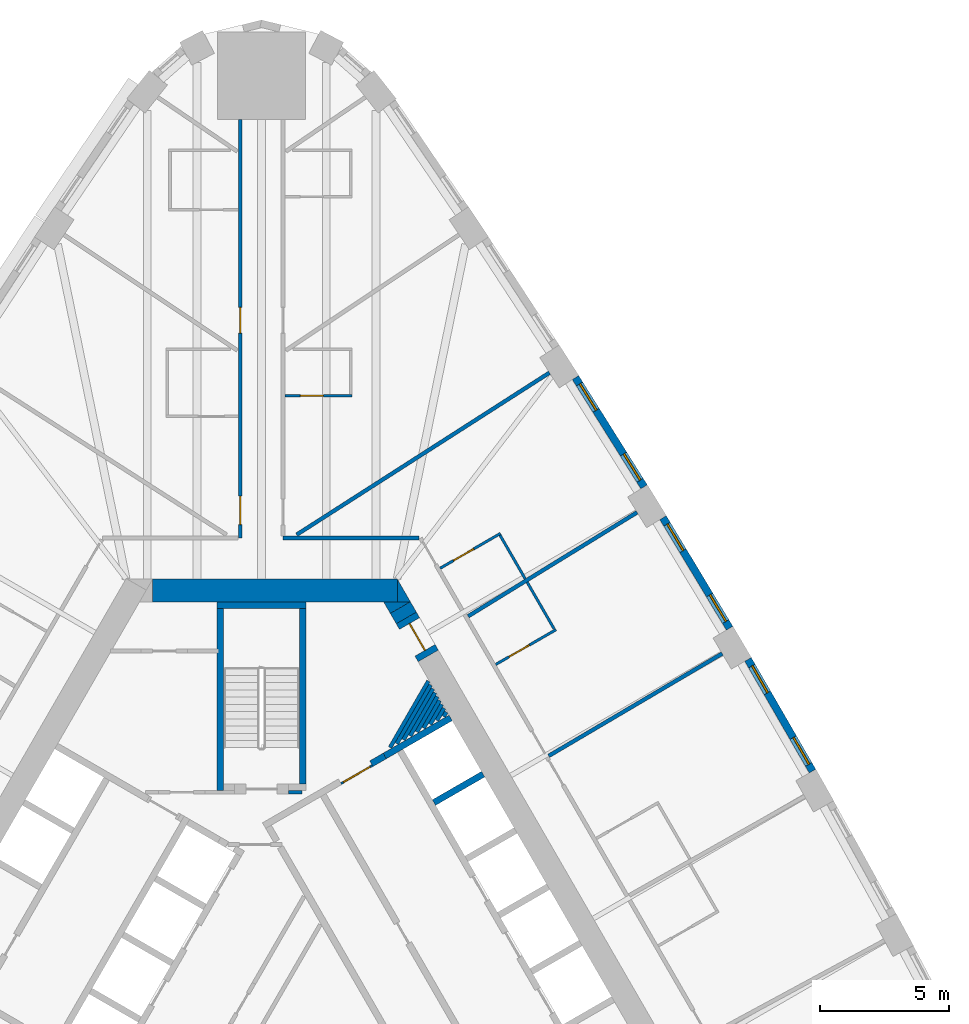
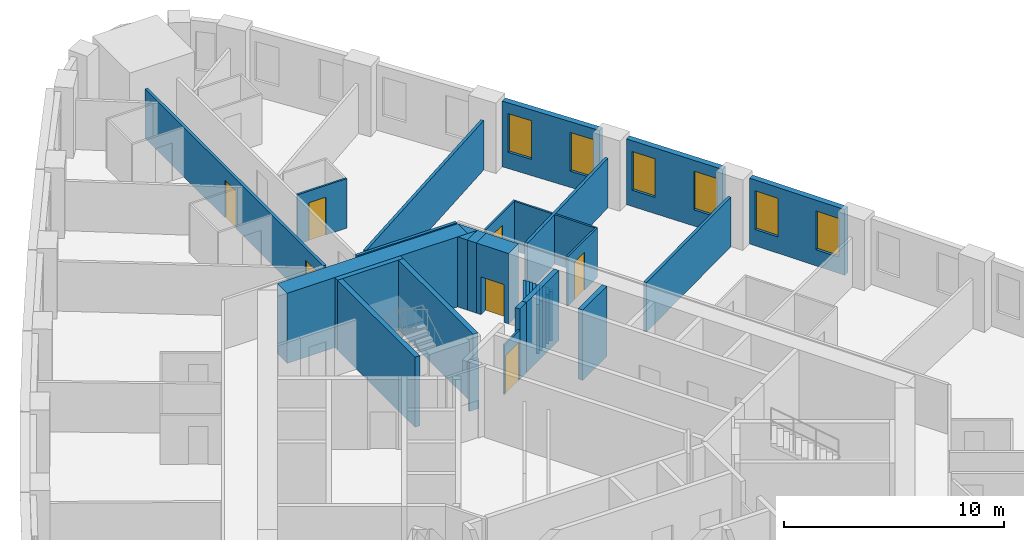
# One storey, part 10 of 12: 35 walls, 7 doors, 6 windows, 13 openings.
"""IFC4 building model written with IfcOpenShell, lengths in metres."""

from ifc_helpers import new_model, si_unit, direction, frame, frame_2d, origin, place, context, subcontext, project, spatial, polyline, rectangle, outline, extrude, material, layer, layer_set, type_object, element, fill, save


model = new_model("IFC4")

# Units and contexts
model_context = context("Model", 3, precision=1e-05, world=origin(), true_north=direction((0.0, 1.0)))
body_context = subcontext(model_context, "Body", "Model", "MODEL_VIEW")
ifc_project = project(units=[si_unit("LENGTHUNIT", "METRE"), si_unit("AREAUNIT", "SQUARE_METRE"), si_unit("VOLUMEUNIT", "CUBIC_METRE"), si_unit("PLANEANGLEUNIT", "RADIAN"), si_unit("MASSUNIT", "GRAM", prefix="KILO")], contexts=[model_context])

# Site, building, storey
site_placement = place(None, origin())
site = spatial("IfcSite", under=ifc_project, at=site_placement, CompositionType="ELEMENT")
building_placement = place(site_placement, origin())
building = spatial("IfcBuilding", under=site, at=building_placement, Name="Mestral Congress Tower", CompositionType="ELEMENT")
storey_placement = place(building_placement, frame((0.0, 0.0, 70.5)))
storey = spatial("IfcBuildingStorey", under=building, at=storey_placement, Name="L16", CompositionType="ELEMENT", Elevation=70.5)

# Walls
ifc_material_1 = material(Name="Fire-rated board partition")
ifc_layer_1 = layer(ifc_material_1, 0.14990234375)
ifc_layer_set_1 = layer_set([ifc_layer_1], Name="Fire-rated board partition")
wall_type_1 = type_object("IfcWallType", Name="Core partition 150", PredefinedType="PARTITIONING", material=ifc_layer_set_1)
wall_1_placement = place(storey_placement, frame((1.050048828125, 8.62548828125, 0.0), z_axis=(0.0, 0.0, 1.0), x_axis=(1.0, 0.0, 0.0)))
element("IfcWall", 1, at=wall_1_placement, inside=storey, type_object=wall_type_1, Name="L16 core wall", PredefinedType="PARTITIONING", context=body_context, shape_type="SweptSolid", body=[
    extrude(rectangle(XDim=0.513916015625, YDim=0.14990234375, at=frame_2d((0.2568359375, 0.0))), origin(), (0.0, 0.0, 1.0), 2.75),
])
wall_2_placement = place(storey_placement, frame((4.981689453125, 10.358642578125, 0.0), z_axis=(0.0, 0.0, 1.0), x_axis=(0.500051824031, 0.865995481099, 0.0)))
element("IfcWall", 2, at=wall_2_placement, inside=storey, type_object=wall_type_1, Name="L16 core wall", PredefinedType="PARTITIONING", context=body_context, shape_type="SweptSolid", body=[
    extrude(rectangle(XDim=2.972900390625, YDim=0.14990234375, at=frame_2d((1.486328125, 0.0))), origin(), (0.0, 0.0, 1.0), 2.75),
])
wall_3_placement = place(storey_placement, frame((5.24169921875, 10.5087890625, 0.0), z_axis=(0.0, 0.0, 1.0), x_axis=(0.499958506883, 0.866049358521, 0.0)))
element("IfcWall", 3, at=wall_3_placement, inside=storey, type_object=wall_type_1, Name="L16 core wall", PredefinedType="PARTITIONING", context=body_context, shape_type="SweptSolid", body=[
    extrude(rectangle(XDim=2.626220703125, YDim=0.14990234375, at=frame_2d((1.31298828125, 0.0))), origin(), (0.0, 0.0, 1.0), 2.75),
])
wall_4_placement = place(storey_placement, frame((5.50146484375, 10.65869140625, 0.0), z_axis=(0.0, 0.0, 1.0), x_axis=(0.499951092774, 0.866053638543, 0.0)))
element("IfcWall", 4, at=wall_4_placement, inside=storey, type_object=wall_type_1, Name="L16 core wall", PredefinedType="PARTITIONING", context=body_context, shape_type="SweptSolid", body=[
    extrude(rectangle(XDim=2.280029296875, YDim=0.14990234375, at=frame_2d((1.14013671875, 0.0))), origin(), (0.0, 0.0, 1.0), 2.75),
])
wall_5_placement = place(storey_placement, frame((5.76123046875, 10.80859375, 0.0), z_axis=(0.0, 0.0, 1.0), x_axis=(0.499900985997, 0.866082561999, 0.0)))
element("IfcWall", 5, at=wall_5_placement, inside=storey, type_object=wall_type_1, Name="L16 core wall", PredefinedType="PARTITIONING", context=body_context, shape_type="SweptSolid", body=[
    extrude(rectangle(XDim=1.93359375, YDim=0.14990234375, at=frame_2d((0.966796875, 0.0))), origin(), (0.0, 0.0, 1.0), 2.75),
])
wall_6_placement = place(storey_placement, frame((6.02099609375, 10.958740234375, 0.0), z_axis=(0.0, 0.0, 1.0), x_axis=(0.499944387978, 0.86605750902, 0.0)))
element("IfcWall", 6, at=wall_6_placement, inside=storey, type_object=wall_type_1, Name="L16 core wall", PredefinedType="PARTITIONING", context=body_context, shape_type="SweptSolid", body=[
    extrude(rectangle(XDim=1.587158203125, YDim=0.14990234375, at=frame_2d((0.79345703125, 0.0))), origin(), (0.0, 0.0, 1.0), 2.75),
])
wall_7_placement = place(storey_placement, frame((6.28076171875, 11.108642578125, 0.0), z_axis=(0.0, 0.0, 1.0), x_axis=(0.500012022864, 0.866018462269, 0.0)))
element("IfcWall", 7, at=wall_7_placement, inside=storey, type_object=wall_type_1, Name="L16 core wall", PredefinedType="PARTITIONING", context=body_context, shape_type="SweptSolid", body=[
    extrude(rectangle(XDim=1.24072265625, YDim=0.14990234375, at=frame_2d((0.620361328125, 0.0))), origin(), (0.0, 0.0, 1.0), 2.75),
])
wall_8_placement = place(storey_placement, frame((6.54052734375, 11.2587890625, 0.0), z_axis=(0.0, 0.0, 1.0), x_axis=(0.500132045864, 0.865949153646, 0.0)))
element("IfcWall", 8, at=wall_8_placement, inside=storey, type_object=wall_type_1, Name="L16 core wall", PredefinedType="PARTITIONING", context=body_context, shape_type="SweptSolid", body=[
    extrude(rectangle(XDim=0.894287109375, YDim=0.14990234375, at=frame_2d((0.447265625, 0.0))), origin(), (0.0, 0.0, 1.0), 2.75),
])
wall_9_placement = place(storey_placement, frame((6.80029296875, 11.40869140625, 0.0), z_axis=(0.0, 0.0, 1.0), x_axis=(0.500210807569, 0.865903659763, 0.0)))
element("IfcWall", 9, at=wall_9_placement, inside=storey, type_object=wall_type_1, Name="L16 core wall", PredefinedType="PARTITIONING", context=body_context, shape_type="SweptSolid", body=[
    extrude(rectangle(XDim=0.548095703125, YDim=0.14990234375, at=frame_2d((0.27392578125, 0.0))), origin(), (0.0, 0.0, 1.0), 2.75),
])
wall_10_placement = place(storey_placement, frame((7.060302734375, 11.55859375, 0.0), z_axis=(0.0, 0.0, 1.0), x_axis=(0.499267785915, 0.866447735266, 0.0)))
element("IfcWall", 10, at=wall_10_placement, inside=storey, type_object=wall_type_1, Name="L16 core wall", PredefinedType="PARTITIONING", context=body_context, shape_type="SweptSolid", body=[
    extrude(rectangle(XDim=0.201416015625, YDim=0.14990234375, at=frame_2d((0.1005859375, 0.0))), origin(), (0.0, 0.0, 1.0), 2.75),
])

# Wall, opening, door
ifc_layer_2 = layer(ifc_material_1, 0.090087890625)
ifc_layer_set_2 = layer_set([ifc_layer_2], Name="Fire-rated board partition")
wall_type_2 = type_object("IfcWallType", Name="Core partition 150 door-wall 90", PredefinedType="PARTITIONING", material=ifc_layer_set_2)
wall_11_placement = place(storey_placement, frame((3.080810546875, 8.9609375, 0.0), z_axis=(0.0, 0.0, 1.0), x_axis=(0.866034573852, 0.49998411664, 0.0)))
wall_11 = element("IfcWall", 11, at=wall_11_placement, inside=storey, type_object=wall_type_2, Name="L16 door wall", PredefinedType="PARTITIONING", context=body_context, shape_type="SweptSolid", body=[
    extrude(rectangle(XDim=1.39990234375, YDim=0.090087890625, at=frame_2d((0.699951171875, 0.0))), origin(), (0.0, 0.0, 1.0), 2.75),
])
opening_1_placement = place(wall_11_placement, frame((0.10009765625, 0.0, 0.0)))
opening_1 = element("IfcOpeningElement", 12, at=opening_1_placement, cuts=wall_11, Name="Opening LB1-WL2", PredefinedType="OPENING", context=body_context, shape_type="SweptSolid", body=[
    extrude(rectangle(XDim=1.199951171875, YDim=2.10009765625, at=frame_2d((0.60009765625, 1.050048828125))), frame((0.0, 0.054931640625, 0.0), z_axis=(0.0, -1.0, 0.0), x_axis=(1.0, 0.0, 0.0)), (0.0, 0.0, 1.0), 0.110107421875),
])
ifc_material_2 = material(Name="Fire-rated steel door set", Category="steel")
door_type_1 = type_object("IfcDoorType", Name="Core door LB 1200x2100", OperationType="SINGLE_SWING_LEFT", PredefinedType="DOOR", material=ifc_material_2)
door_1_placement = place(opening_1_placement, origin())
door_1 = element("IfcDoor", 13, at=door_1_placement, inside=storey, type_object=door_type_1, Name="Door LB1-WL2", OperationType="SINGLE_SWING_LEFT", OverallHeight=2.10009765625, OverallWidth=1.199951171875, PredefinedType="DOOR", context=body_context, shape_type="SweptSolid", body=[
    extrude(rectangle(XDim=1.199951171875, YDim=2.10009765625, at=frame_2d((0.60009765625, 1.050048828125))), frame((0.0, 0.02490234375, 0.0), z_axis=(0.0, -1.0, 0.0), x_axis=(1.0, 0.0, 0.0)), (0.0, 0.0, 1.0), 0.050048828125),
])
fill(opening_1, door_1)

# Walls
ifc_material_3 = material(Name="Concrete C60/75", Category="concrete")
ifc_layer_3 = layer(ifc_material_3, 0.89990234375)
ifc_layer_set_3 = layer_set([ifc_layer_3], Name="Concrete C60/75")
wall_type_3 = type_object("IfcWallType", Name="Core wall RC 900", PredefinedType="SOLIDWALL", material=ifc_layer_set_3)
wall_12_placement = place(storey_placement, frame((-4.224365234375, 16.449951171875, 0.0), z_axis=(0.0, 0.0, 1.0), x_axis=(1.0, 0.0, 0.0)))
element("IfcWall", 14, at=wall_12_placement, inside=storey, type_object=wall_type_3, Name="L16 core wall", PredefinedType="SOLIDWALL", context=body_context, shape_type="SweptSolid", body=[
    extrude(rectangle(XDim=9.48779296875, YDim=0.89990234375, at=frame_2d((4.743896484375, 0.0))), origin(), (0.0, 0.0, 1.0), 3.89990234375),
])
placement = place(storey_placement, origin())
element("IfcWall", 15, at=placement, inside=storey, type_object=wall_type_3, Name="L16 core wall", PredefinedType="SOLIDWALL", context=body_context, shape_type="SweptSolid", body=[
    extrude(outline(polyline([(5.265380859375, 16.0), (5.265380859375, 16.8798828125), (5.7734375, 16.0), (5.265380859375, 16.0)])), origin(), (0.0, 0.0, 1.0), 3.89990234375),
])
wall_14_placement = place(storey_placement, frame((5.61083984375, 15.381591796875, 0.0), z_axis=(0.0, 0.0, 1.0), x_axis=(-0.500102178127, 0.865966403178, 0.0)))
element("IfcWall", 16, at=wall_14_placement, inside=storey, type_object=wall_type_3, Name="L16 core wall", PredefinedType="SOLIDWALL", context=body_context, shape_type="SweptSolid", body=[
    extrude(rectangle(XDim=0.4638671875, YDim=0.89990234375, at=frame_2d((0.23193359375, 0.0))), origin(), (0.0, 0.0, 1.0), 3.89990234375),
])
element("IfcWall", 17, at=placement, inside=storey, type_object=wall_type_3, Name="L16 core wall", PredefinedType="SOLIDWALL", context=body_context, shape_type="SweptSolid", body=[
    extrude(outline(polyline([(4.734375, 16.0), (5.75048828125, 16.0), (4.98828125, 15.56005859375), (4.734375, 16.0)])), origin(), (0.0, 0.0, 1.0), 3.89990234375),
])

# Wall, opening, door
wall_16_placement = place(storey_placement, frame((5.61083984375, 15.381591796875, 0.0), z_axis=(0.0, 0.0, 1.0), x_axis=(0.500062241894, -0.865989465428, 0.0)))
wall_16 = element("IfcWall", 18, at=wall_16_placement, inside=storey, type_object=wall_type_3, Name="L16 door wall", PredefinedType="SOLIDWALL", context=body_context, shape_type="SweptSolid", body=[
    extrude(rectangle(XDim=1.699951171875, YDim=0.89990234375, at=frame_2d((0.85009765625, 0.0))), origin(), (0.0, 0.0, 1.0), 3.89990234375),
])
opening_2_placement = place(wall_16_placement, frame((0.25, 0.0, 0.0)))
opening_2 = element("IfcOpeningElement", 19, at=opening_2_placement, cuts=wall_16, Name="Opening XD2", PredefinedType="OPENING", context=body_context, shape_type="SweptSolid", body=[
    extrude(rectangle(XDim=1.199951171875, YDim=2.10009765625, at=frame_2d((0.60009765625, 1.050048828125))), frame((0.0, 0.4599609375, 0.0), z_axis=(0.0, -1.0, 0.0), x_axis=(1.0, 0.0, 0.0)), (0.0, 0.0, 1.0), 0.919921875),
])
door_type_2 = type_object("IfcDoorType", Name="Core door XD 1200x2100", OperationType="SINGLE_SWING_LEFT", PredefinedType="DOOR", material=ifc_material_2)
door_2_placement = place(opening_2_placement, origin())
door_2 = element("IfcDoor", 20, at=door_2_placement, inside=storey, type_object=door_type_2, Name="Door XD2", OperationType="SINGLE_SWING_LEFT", OverallHeight=2.10009765625, OverallWidth=1.199951171875, PredefinedType="DOOR", context=body_context, shape_type="SweptSolid", body=[
    extrude(rectangle(XDim=1.199951171875, YDim=2.10009765625, at=frame_2d((0.60009765625, 1.050048828125))), frame((0.0, 0.02490234375, 0.0), z_axis=(0.0, -1.0, 0.0), x_axis=(1.0, 0.0, 0.0)), (0.0, 0.0, 1.0), 0.050048828125),
])
fill(opening_2, door_2)

# Wall, openings, windows
ifc_material_4 = material(Name="Precast concrete C40/50 with limestone facing", Category="masonry")
ifc_layer_4 = layer(ifc_material_4, 0.2900390625)
ifc_layer_set_4 = layer_set([ifc_layer_4], Name="Precast concrete C40/50 with limestone facing")
wall_type_4 = type_object("IfcWallType", Name="Facade stone wall 290", PredefinedType="SOLIDWALL", material=ifc_layer_set_4)
wall_17_placement = place(storey_placement, frame((21.357177734375, 9.44482421875, 0.0), z_axis=(0.0, 0.0, 1.0), x_axis=(-0.50002123722, 0.866013142123, 0.0)))
wall_17 = element("IfcWall", 21, at=wall_17_placement, inside=storey, type_object=wall_type_4, Name="Facade wall F1-04", PredefinedType="SOLIDWALL", context=body_context, shape_type="SweptSolid", body=[
    extrude(rectangle(XDim=4.998291015625, YDim=0.2900390625, at=frame_2d((2.4990234375, 0.0))), origin(), (0.0, 0.0, 1.0), 3.64990234375),
])
opening_3_placement = place(wall_17_placement, frame((0.297119140625, 0.0, 0.89990234375)))
opening_3 = element("IfcOpeningElement", 22, at=opening_3_placement, cuts=wall_17, Name="Opening W1", PredefinedType="OPENING", context=body_context, shape_type="SweptSolid", body=[
    extrude(rectangle(XDim=1.199951171875, YDim=2.14990234375, at=frame_2d((0.60009765625, 1.074951171875))), frame((0.0, 0.155029296875, 0.0), z_axis=(0.0, -1.0, 0.0), x_axis=(1.0, 0.0, 0.0)), (0.0, 0.0, 1.0), 0.31005859375),
])
opening_4_placement = place(wall_17_placement, frame((3.501220703125, 0.0, 0.89990234375)))
opening_4 = element("IfcOpeningElement", 23, at=opening_4_placement, cuts=wall_17, Name="Opening W1", PredefinedType="OPENING", context=body_context, shape_type="SweptSolid", body=[
    extrude(rectangle(XDim=1.199951171875, YDim=2.14990234375, at=frame_2d((0.60009765625, 1.074951171875))), frame((0.0, 0.155029296875, 0.0), z_axis=(0.0, -1.0, 0.0), x_axis=(1.0, 0.0, 0.0)), (0.0, 0.0, 1.0), 0.31005859375),
])
ifc_material_5 = material(Name="Clear low-emissivity double glazing", Category="glass")
window_type = type_object("IfcWindowType", Name="Facade punched window 1200 x 2150 sill 900", PartitioningType="DOUBLE_PANEL_VERTICAL", PredefinedType="WINDOW", material=ifc_material_5)
window_1_placement = place(opening_3_placement, origin())
window_1 = element("IfcWindow", 24, at=window_1_placement, inside=storey, type_object=window_type, Name="Window F1-04a", OverallHeight=2.14990234375, OverallWidth=1.199951171875, PartitioningType="DOUBLE_PANEL_VERTICAL", PredefinedType="WINDOW", context=body_context, shape_type="SweptSolid", body=[
    extrude(rectangle(XDim=1.199951171875, YDim=2.14990234375, at=frame_2d((0.60009765625, 1.074951171875))), frame((0.0, 0.01513671875, 0.0), z_axis=(0.0, -1.0, 0.0), x_axis=(1.0, 0.0, 0.0)), (0.0, 0.0, 1.0), 0.06005859375),
])
fill(opening_3, window_1)
window_2_placement = place(opening_4_placement, origin())
window_2 = element("IfcWindow", 25, at=window_2_placement, inside=storey, type_object=window_type, Name="Window F1-04b", OverallHeight=2.14990234375, OverallWidth=1.199951171875, PartitioningType="DOUBLE_PANEL_VERTICAL", PredefinedType="WINDOW", context=body_context, shape_type="SweptSolid", body=[
    extrude(rectangle(XDim=1.199951171875, YDim=2.14990234375, at=frame_2d((0.60009765625, 1.074951171875))), frame((0.0, 0.01513671875, 0.0), z_axis=(0.0, -1.0, 0.0), x_axis=(1.0, 0.0, 0.0)), (0.0, 0.0, 1.0), 0.06005859375),
])
fill(opening_4, window_2)

wall_18_placement = place(storey_placement, frame((18.143310546875, 14.985595703125, 0.0), z_axis=(0.0, 0.0, 1.0), x_axis=(-0.515938796285, 0.856625448191, 0.0)))
wall_18 = element("IfcWall", 26, at=wall_18_placement, inside=storey, type_object=wall_type_4, Name="Facade wall F1-05", PredefinedType="SOLIDWALL", context=body_context, shape_type="SweptSolid", body=[
    extrude(rectangle(XDim=4.998291015625, YDim=0.2900390625, at=frame_2d((2.4990234375, 0.0))), origin(), (0.0, 0.0, 1.0), 3.64990234375),
])
opening_5_placement = place(wall_18_placement, frame((0.297119140625, 0.0, 0.89990234375)))
opening_5 = element("IfcOpeningElement", 27, at=opening_5_placement, cuts=wall_18, Name="Opening W1", PredefinedType="OPENING", context=body_context, shape_type="SweptSolid", body=[
    extrude(rectangle(XDim=1.199951171875, YDim=2.14990234375, at=frame_2d((0.60009765625, 1.074951171875))), frame((0.0, 0.155029296875, 0.0), z_axis=(0.0, -1.0, 0.0), x_axis=(1.0, 0.0, 0.0)), (0.0, 0.0, 1.0), 0.31005859375),
])
opening_6_placement = place(wall_18_placement, frame((3.501220703125, 0.0, 0.89990234375)))
opening_6 = element("IfcOpeningElement", 28, at=opening_6_placement, cuts=wall_18, Name="Opening W1", PredefinedType="OPENING", context=body_context, shape_type="SweptSolid", body=[
    extrude(rectangle(XDim=1.199951171875, YDim=2.14990234375, at=frame_2d((0.60009765625, 1.074951171875))), frame((0.0, 0.155029296875, 0.0), z_axis=(0.0, -1.0, 0.0), x_axis=(1.0, 0.0, 0.0)), (0.0, 0.0, 1.0), 0.31005859375),
])
window_3_placement = place(opening_5_placement, origin())
window_3 = element("IfcWindow", 29, at=window_3_placement, inside=storey, type_object=window_type, Name="Window F1-05a", OverallHeight=2.14990234375, OverallWidth=1.199951171875, PartitioningType="DOUBLE_PANEL_VERTICAL", PredefinedType="WINDOW", context=body_context, shape_type="SweptSolid", body=[
    extrude(rectangle(XDim=1.199951171875, YDim=2.14990234375, at=frame_2d((0.60009765625, 1.074951171875))), frame((0.0, 0.01513671875, 0.0), z_axis=(0.0, -1.0, 0.0), x_axis=(1.0, 0.0, 0.0)), (0.0, 0.0, 1.0), 0.06005859375),
])
fill(opening_5, window_3)
window_4_placement = place(opening_6_placement, origin())
window_4 = element("IfcWindow", 30, at=window_4_placement, inside=storey, type_object=window_type, Name="Window F1-05b", OverallHeight=2.14990234375, OverallWidth=1.199951171875, PartitioningType="DOUBLE_PANEL_VERTICAL", PredefinedType="WINDOW", context=body_context, shape_type="SweptSolid", body=[
    extrude(rectangle(XDim=1.199951171875, YDim=2.14990234375, at=frame_2d((0.60009765625, 1.074951171875))), frame((0.0, 0.01513671875, 0.0), z_axis=(0.0, -1.0, 0.0), x_axis=(1.0, 0.0, 0.0)), (0.0, 0.0, 1.0), 0.06005859375),
])
fill(opening_6, window_4)

wall_19_placement = place(storey_placement, frame((14.827392578125, 20.466064453125, 0.0), z_axis=(0.0, 0.0, 1.0), x_axis=(-0.531688286542, 0.846940119462, 0.0)))
wall_19 = element("IfcWall", 31, at=wall_19_placement, inside=storey, type_object=wall_type_4, Name="Facade wall F1-06", PredefinedType="SOLIDWALL", context=body_context, shape_type="SweptSolid", body=[
    extrude(rectangle(XDim=4.998291015625, YDim=0.2900390625, at=frame_2d((2.4990234375, 0.0))), origin(), (0.0, 0.0, 1.0), 3.64990234375),
])
opening_7_placement = place(wall_19_placement, frame((0.297119140625, 0.0, 0.89990234375)))
opening_7 = element("IfcOpeningElement", 32, at=opening_7_placement, cuts=wall_19, Name="Opening W1", PredefinedType="OPENING", context=body_context, shape_type="SweptSolid", body=[
    extrude(rectangle(XDim=1.199951171875, YDim=2.14990234375, at=frame_2d((0.60009765625, 1.074951171875))), frame((0.0, 0.155029296875, 0.0), z_axis=(0.0, -1.0, 0.0), x_axis=(1.0, 0.0, 0.0)), (0.0, 0.0, 1.0), 0.31005859375),
])
opening_8_placement = place(wall_19_placement, frame((3.501220703125, 0.0, 0.89990234375)))
opening_8 = element("IfcOpeningElement", 33, at=opening_8_placement, cuts=wall_19, Name="Opening W1", PredefinedType="OPENING", context=body_context, shape_type="SweptSolid", body=[
    extrude(rectangle(XDim=1.199951171875, YDim=2.14990234375, at=frame_2d((0.60009765625, 1.074951171875))), frame((0.0, 0.155029296875, 0.0), z_axis=(0.0, -1.0, 0.0), x_axis=(1.0, 0.0, 0.0)), (0.0, 0.0, 1.0), 0.31005859375),
])
window_5_placement = place(opening_7_placement, origin())
window_5 = element("IfcWindow", 34, at=window_5_placement, inside=storey, type_object=window_type, Name="Window F1-06a", OverallHeight=2.14990234375, OverallWidth=1.199951171875, PartitioningType="DOUBLE_PANEL_VERTICAL", PredefinedType="WINDOW", context=body_context, shape_type="SweptSolid", body=[
    extrude(rectangle(XDim=1.199951171875, YDim=2.14990234375, at=frame_2d((0.60009765625, 1.074951171875))), frame((0.0, 0.01513671875, 0.0), z_axis=(0.0, -1.0, 0.0), x_axis=(1.0, 0.0, 0.0)), (0.0, 0.0, 1.0), 0.06005859375),
])
fill(opening_7, window_5)
window_6_placement = place(opening_8_placement, origin())
window_6 = element("IfcWindow", 35, at=window_6_placement, inside=storey, type_object=window_type, Name="Window F1-06b", OverallHeight=2.14990234375, OverallWidth=1.199951171875, PartitioningType="DOUBLE_PANEL_VERTICAL", PredefinedType="WINDOW", context=body_context, shape_type="SweptSolid", body=[
    extrude(rectangle(XDim=1.199951171875, YDim=2.14990234375, at=frame_2d((0.60009765625, 1.074951171875))), frame((0.0, 0.01513671875, 0.0), z_axis=(0.0, -1.0, 0.0), x_axis=(1.0, 0.0, 0.0)), (0.0, 0.0, 1.0), 0.06005859375),
])
fill(opening_8, window_6)

# Wall, opening, door
ifc_material_6 = material(Name="Gypsum board partition on metal studs with mineral wool", Category="composite")
ifc_layer_5 = layer(ifc_material_6, 0.10009765625)
ifc_layer_set_5 = layer_set([ifc_layer_5], Name="Gypsum board partition on metal studs with mineral wool")
wall_type_5 = type_object("IfcWallType", Name="Hotel partition wall 100", PredefinedType="PARTITIONING", material=ifc_layer_set_5)
wall_20_placement = place(storey_placement, frame((9.077392578125, 13.57763671875, 0.0), z_axis=(0.0, 0.0, 1.0), x_axis=(0.866036505625, 0.499980770555, 0.0)))
wall_20 = element("IfcWall", 36, at=wall_20_placement, inside=storey, type_object=wall_type_5, Name="L16-h-pod12a", PredefinedType="PARTITIONING", context=body_context, shape_type="SweptSolid", body=[
    extrude(rectangle(XDim=2.69970703125, YDim=0.10009765625, at=frame_2d((1.349853515625, 0.0))), origin(), (0.0, 0.0, 1.0), 2.75),
])
opening_9_placement = place(wall_20_placement, frame((0.60009765625, 0.0, 0.0)))
opening_9 = element("IfcOpeningElement", 37, at=opening_9_placement, cuts=wall_20, Name="Opening H04-024", PredefinedType="OPENING", context=body_context, shape_type="SweptSolid", body=[
    extrude(rectangle(XDim=0.89990234375, YDim=2.10009765625, at=frame_2d((0.449951171875, 1.050048828125))), frame((0.0, 0.06005859375, 0.0), z_axis=(0.0, -1.0, 0.0), x_axis=(1.0, 0.0, 0.0)), (0.0, 0.0, 1.0), 0.1201171875),
])
ifc_material_7 = material(Name="Timber veneer door leaf in timber frame", Category="wood")
door_type_3 = type_object("IfcDoorType", Name="Bathroom door 900", OperationType="SINGLE_SWING_LEFT", PredefinedType="DOOR", material=ifc_material_7)
door_3_placement = place(opening_9_placement, origin())
door_3 = element("IfcDoor", 38, at=door_3_placement, inside=storey, type_object=door_type_3, Name="L16-h-d024", OperationType="SINGLE_SWING_RIGHT", OverallHeight=2.10009765625, OverallWidth=0.89990234375, PredefinedType="DOOR", context=body_context, shape_type="SweptSolid", body=[
    extrude(rectangle(XDim=0.89990234375, YDim=2.10009765625, at=frame_2d((0.449951171875, 1.050048828125))), frame((0.0, 0.02490234375, 0.0), z_axis=(0.0, -1.0, 0.0), x_axis=(1.0, 0.0, 0.0)), (0.0, 0.0, 1.0), 0.050048828125),
])
fill(opening_9, door_3)

# Wall
wall_21_placement = place(storey_placement, frame((11.34228515625, 14.95458984375, 0.0), z_axis=(0.0, 0.0, 1.0), x_axis=(-0.500008976872, 0.866020220923, 0.0)))
element("IfcWall", 39, at=wall_21_placement, inside=storey, type_object=wall_type_5, Name="L16-h-pod12b", PredefinedType="PARTITIONING", context=body_context, shape_type="SweptSolid", body=[
    extrude(rectangle(XDim=2.08984375, YDim=0.10009765625, at=frame_2d((1.044921875, 0.0))), origin(), (0.0, 0.0, 1.0), 2.75),
])

# Wall, opening, door
wall_22_placement = place(storey_placement, frame((9.261962890625, 18.65771484375, 0.0), z_axis=(0.0, 0.0, 1.0), x_axis=(-0.866019956843, -0.50000943426, 0.0)))
wall_22 = element("IfcWall", 40, at=wall_22_placement, inside=storey, type_object=wall_type_5, Name="L16-h-pod13a", PredefinedType="PARTITIONING", context=body_context, shape_type="SweptSolid", body=[
    extrude(rectangle(XDim=2.7001953125, YDim=0.10009765625, at=frame_2d((1.35009765625, 0.0))), origin(), (0.0, 0.0, 1.0), 2.75),
])
opening_10_placement = place(wall_22_placement, frame((1.199951171875, 0.0, 0.0)))
opening_10 = element("IfcOpeningElement", 41, at=opening_10_placement, cuts=wall_22, Name="Opening H04-026", PredefinedType="OPENING", context=body_context, shape_type="SweptSolid", body=[
    extrude(rectangle(XDim=0.89990234375, YDim=2.10009765625, at=frame_2d((0.449951171875, 1.050048828125))), frame((0.0, 0.06005859375, 0.0), z_axis=(0.0, -1.0, 0.0), x_axis=(1.0, 0.0, 0.0)), (0.0, 0.0, 1.0), 0.1201171875),
])
door_4_placement = place(opening_10_placement, origin())
door_4 = element("IfcDoor", 42, at=door_4_placement, inside=storey, type_object=door_type_3, Name="L16-h-d026", OperationType="SINGLE_SWING_LEFT", OverallHeight=2.10009765625, OverallWidth=0.89990234375, PredefinedType="DOOR", context=body_context, shape_type="SweptSolid", body=[
    extrude(rectangle(XDim=0.89990234375, YDim=2.10009765625, at=frame_2d((0.449951171875, 1.050048828125))), frame((0.0, 0.02490234375, 0.0), z_axis=(0.0, -1.0, 0.0), x_axis=(1.0, 0.0, 0.0)), (0.0, 0.0, 1.0), 0.050048828125),
])
fill(opening_10, door_4)

# Wall
wall_23_placement = place(storey_placement, frame((9.24365234375, 18.58935546875, 0.0), z_axis=(0.0, 0.0, 1.0), x_axis=(0.500043961785, -0.866000020948, 0.0)))
element("IfcWall", 43, at=wall_23_placement, inside=storey, type_object=wall_type_5, Name="L16-h-pod13b", PredefinedType="PARTITIONING", context=body_context, shape_type="SweptSolid", body=[
    extrude(rectangle(XDim=1.949951171875, YDim=0.10009765625, at=frame_2d((0.97509765625, 0.0))), origin(), (0.0, 0.0, 1.0), 2.75),
])

# Wall, opening, door
wall_24_placement = place(storey_placement, frame((0.89990234375, 23.994384765625, 0.0), z_axis=(0.0, 0.0, 1.0), x_axis=(1.0, 0.0, 0.0)))
wall_24 = element("IfcWall", 44, at=wall_24_placement, inside=storey, type_object=wall_type_5, Name="L16-h-pod14a", PredefinedType="PARTITIONING", context=body_context, shape_type="SweptSolid", body=[
    extrude(rectangle(XDim=2.60009765625, YDim=0.10009765625, at=frame_2d((1.300048828125, 0.0))), origin(), (0.0, 0.0, 1.0), 2.75),
])
opening_11_placement = place(wall_24_placement, frame((0.60009765625, 0.0, 0.0)))
opening_11 = element("IfcOpeningElement", 45, at=opening_11_placement, cuts=wall_24, Name="Opening H04-028", PredefinedType="OPENING", context=body_context, shape_type="SweptSolid", body=[
    extrude(rectangle(XDim=0.89990234375, YDim=2.10009765625, at=frame_2d((0.449951171875, 1.050048828125))), frame((0.0, 0.06005859375, 0.0), z_axis=(0.0, -1.0, 0.0), x_axis=(1.0, 0.0, 0.0)), (0.0, 0.0, 1.0), 0.1201171875),
])
door_5_placement = place(opening_11_placement, origin())
door_5 = element("IfcDoor", 46, at=door_5_placement, inside=storey, type_object=door_type_3, Name="L16-h-d028", OperationType="SINGLE_SWING_LEFT", OverallHeight=2.10009765625, OverallWidth=0.89990234375, PredefinedType="DOOR", context=body_context, shape_type="SweptSolid", body=[
    extrude(rectangle(XDim=0.89990234375, YDim=2.10009765625, at=frame_2d((0.449951171875, 1.050048828125))), frame((0.0, 0.02490234375, 0.0), z_axis=(0.0, -1.0, 0.0), x_axis=(1.0, 0.0, 0.0)), (0.0, 0.0, 1.0), 0.050048828125),
])
fill(opening_11, door_5)

# Wall
ifc_layer_6 = layer(ifc_material_6, 0.14990234375)
ifc_layer_set_6 = layer_set([ifc_layer_6], Name="Gypsum board partition on metal studs with mineral wool")
wall_type_6 = type_object("IfcWallType", Name="Hotel partition wall 150", PredefinedType="PARTITIONING", material=ifc_layer_set_6)
wall_25_placement = place(storey_placement, frame((0.824951171875, 18.47509765625, 0.0), z_axis=(0.0, 0.0, 1.0), x_axis=(1.0, 0.0, 0.0)))
element("IfcWall", 47, at=wall_25_placement, inside=storey, type_object=wall_type_6, Name="L16-h-cw04", PredefinedType="PARTITIONING", context=body_context, shape_type="SweptSolid", body=[
    extrude(rectangle(XDim=5.268310546875, YDim=0.14990234375, at=frame_2d((2.63427734375, 0.0))), origin(), (0.0, 0.0, 1.0), 2.75),
])

# Wall, openings, doors
wall_26_placement = place(storey_placement, frame((-0.824951171875, 18.47509765625, 0.0), z_axis=(0.0, 0.0, 1.0), x_axis=(0.0, 1.0, 0.0)))
wall_26 = element("IfcWall", 48, at=wall_26_placement, inside=storey, type_object=wall_type_6, Name="L16-h-cw06", PredefinedType="PARTITIONING", context=body_context, shape_type="SweptSolid", body=[
    extrude(rectangle(XDim=16.223876953125, YDim=0.14990234375, at=frame_2d((8.11181640625, 0.0))), origin(), (0.0, 0.0, 1.0), 2.75),
])
opening_12_placement = place(wall_26_placement, frame((7.948974609375, 0.0, 0.0)))
opening_12 = element("IfcOpeningElement", 49, at=opening_12_placement, cuts=wall_26, Name="Opening H04-031", PredefinedType="OPENING", context=body_context, shape_type="SweptSolid", body=[
    extrude(rectangle(XDim=1.0, YDim=2.10009765625, at=frame_2d((0.5, 1.050048828125))), frame((0.0, 0.0849609375, 0.0), z_axis=(0.0, -1.0, 0.0), x_axis=(1.0, 0.0, 0.0)), (0.0, 0.0, 1.0), 0.169921875),
])
opening_13_placement = place(wall_26_placement, frame((0.52587890625, 0.0, 0.0)))
opening_13 = element("IfcOpeningElement", 50, at=opening_13_placement, cuts=wall_26, Name="Opening H04-033", PredefinedType="OPENING", context=body_context, shape_type="SweptSolid", body=[
    extrude(rectangle(XDim=1.10009765625, YDim=2.10009765625, at=frame_2d((0.550048828125, 1.050048828125))), frame((0.0, 0.0849609375, 0.0), z_axis=(0.0, -1.0, 0.0), x_axis=(1.0, 0.0, 0.0)), (0.0, 0.0, 1.0), 0.169921875),
])
ifc_material_8 = material(Name="Timber veneer door leaf in metal frame", Category="wood")
door_type_4 = type_object("IfcDoorType", Name="Accessible room entrance door 1100", OperationType="SINGLE_SWING_LEFT", PredefinedType="DOOR", material=ifc_material_8)
door_6_placement = place(opening_13_placement, origin())
door_6 = element("IfcDoor", 51, at=door_6_placement, inside=storey, type_object=door_type_4, Name="L16-h-d033", OperationType="SINGLE_SWING_LEFT", OverallHeight=2.10009765625, OverallWidth=1.10009765625, PredefinedType="DOOR", context=body_context, shape_type="SweptSolid", body=[
    extrude(rectangle(XDim=1.10009765625, YDim=2.10009765625, at=frame_2d((0.550048828125, 1.050048828125))), frame((0.0, 0.02490234375, 0.0), z_axis=(0.0, -1.0, 0.0), x_axis=(1.0, 0.0, 0.0)), (0.0, 0.0, 1.0), 0.050048828125),
])
fill(opening_13, door_6)
door_type_5 = type_object("IfcDoorType", Name="Guest room entrance door 1000", OperationType="SINGLE_SWING_LEFT", PredefinedType="DOOR", material=ifc_material_8)
door_7_placement = place(opening_12_placement, origin())
door_7 = element("IfcDoor", 52, at=door_7_placement, inside=storey, type_object=door_type_5, Name="L16-h-d031", OperationType="SINGLE_SWING_LEFT", OverallHeight=2.10009765625, OverallWidth=1.0, PredefinedType="DOOR", context=body_context, shape_type="SweptSolid", body=[
    extrude(rectangle(XDim=1.0, YDim=2.10009765625, at=frame_2d((0.5, 1.050048828125))), frame((0.0, 0.02490234375, 0.0), z_axis=(0.0, -1.0, 0.0), x_axis=(1.0, 0.0, 0.0)), (0.0, 0.0, 1.0), 0.050048828125),
])
fill(opening_12, door_7)

# Walls
wall_27_placement = place(storey_placement, frame((11.16015625, 24.887939453125, 0.0), z_axis=(0.0, 0.0, 1.0), x_axis=(-0.84199813156, -0.539480441211, 0.0)))
element("IfcWall", 53, at=wall_27_placement, inside=storey, type_object=wall_type_6, Name="L16-h-pw13", PredefinedType="PARTITIONING", context=body_context, shape_type="SweptSolid", body=[
    extrude(rectangle(XDim=11.63818359375, YDim=0.14990234375, at=frame_2d((5.819091796875, 0.0))), origin(), (0.0, 0.0, 1.0), 2.75),
])
wall_28_placement = place(storey_placement, frame((14.55810546875, 19.474609375, 0.0), z_axis=(0.0, 0.0, 1.0), x_axis=(-0.851829455142, -0.523819223925, 0.0)))
element("IfcWall", 54, at=wall_28_placement, inside=storey, type_object=wall_type_6, Name="L16-h-pw16", PredefinedType="PARTITIONING", context=body_context, shape_type="SweptSolid", body=[
    extrude(rectangle(XDim=7.68798828125, YDim=0.14990234375, at=frame_2d((3.843994140625, 0.0))), origin(), (0.0, 0.0, 1.0), 2.75),
])
wall_29_placement = place(storey_placement, frame((17.85595703125, 13.999267578125, 0.0), z_axis=(0.0, 0.0, 1.0), x_axis=(-0.861371519381, -0.507975497047, 0.0)))
element("IfcWall", 55, at=wall_29_placement, inside=storey, type_object=wall_type_6, Name="L16-h-pw18", PredefinedType="PARTITIONING", context=body_context, shape_type="SweptSolid", body=[
    extrude(rectangle(XDim=7.8037109375, YDim=0.14990234375, at=frame_2d((3.90185546875, 0.0))), origin(), (0.0, 0.0, 1.0), 2.75),
])
ifc_layer_7 = layer(ifc_material_3, 0.25)
ifc_layer_set_7 = layer_set([ifc_layer_7], Name="Concrete C60/75")
wall_type_7 = type_object("IfcWallType", Name="Shaft wall RC 250", PredefinedType="SOLIDWALL", material=ifc_layer_set_7)
wall_30_placement = place(storey_placement, frame((6.68359375, 8.2236328125, 0.0), z_axis=(0.0, 0.0, 1.0), x_axis=(0.86605622881, 0.499946605688, 0.0)))
element("IfcWall", 56, at=wall_30_placement, inside=storey, type_object=wall_type_7, Name="L16 core wall", PredefinedType="SOLIDWALL", context=body_context, shape_type="SweptSolid", body=[
    extrude(rectangle(XDim=2.199951171875, YDim=0.25, at=frame_2d((1.10009765625, 0.0))), origin(), (0.0, 0.0, 1.0), 3.89990234375),
])
wall_31_placement = place(storey_placement, frame((4.25439453125, 9.73095703125, 0.0), z_axis=(0.0, 0.0, 1.0), x_axis=(0.866056883327, 0.499945471869, 0.0)))
element("IfcWall", 57, at=wall_31_placement, inside=storey, type_object=wall_type_7, Name="L16 core wall", PredefinedType="SOLIDWALL", context=body_context, shape_type="SweptSolid", body=[
    extrude(rectangle(XDim=0.60009765625, YDim=0.25, at=frame_2d((0.300048828125, 0.0))), origin(), (0.0, 0.0, 1.0), 3.89990234375),
])
wall_32_placement = place(storey_placement, frame((4.77587890625, 10.031982421875, 0.0), z_axis=(0.0, 0.0, 1.0), x_axis=(0.86600215702, 0.500040262416, 0.0)))
element("IfcWall", 58, at=wall_32_placement, inside=storey, type_object=wall_type_7, Name="L16 core wall", PredefinedType="SOLIDWALL", context=body_context, shape_type="SweptSolid", body=[
    extrude(rectangle(XDim=2.947998046875, YDim=0.25, at=frame_2d((1.47412109375, 0.0))), origin(), (0.0, 0.0, 1.0), 3.89990234375),
])
ifc_layer_8 = layer(ifc_material_3, 0.25)
ifc_layer_set_8 = layer_set([ifc_layer_8], Name="Concrete C60/75")
wall_type_8 = type_object("IfcWallType", Name="Stair wall RC 250", PredefinedType="SOLIDWALL", material=ifc_layer_set_8)
wall_33_placement = place(storey_placement, frame((-1.72509765625, 15.875, 0.0), z_axis=(0.0, 0.0, 1.0), x_axis=(1.0, 0.0, 0.0)))
element("IfcWall", 59, at=wall_33_placement, inside=storey, type_object=wall_type_8, Name="L16 core wall", PredefinedType="SOLIDWALL", context=body_context, shape_type="SweptSolid", body=[
    extrude(rectangle(XDim=3.4501953125, YDim=0.25, at=frame_2d((1.72509765625, 0.0))), origin(), (0.0, 0.0, 1.0), 3.89990234375),
])
wall_34_placement = place(storey_placement, frame((1.60009765625, 8.949951171875, 0.0), z_axis=(0.0, 0.0, 1.0), x_axis=(0.0, 1.0, 0.0)))
element("IfcWall", 60, at=wall_34_placement, inside=storey, type_object=wall_type_8, Name="L16 core wall", PredefinedType="SOLIDWALL", context=body_context, shape_type="SweptSolid", body=[
    extrude(rectangle(XDim=6.800048828125, YDim=0.25, at=frame_2d((3.39990234375, 0.0))), origin(), (0.0, 0.0, 1.0), 3.89990234375),
])
wall_35_placement = place(storey_placement, frame((-1.60009765625, 8.699951171875, 0.0), z_axis=(0.0, 0.0, 1.0), x_axis=(0.0, 1.0, 0.0)))
element("IfcWall", 61, at=wall_35_placement, inside=storey, type_object=wall_type_8, Name="L16 core wall", PredefinedType="SOLIDWALL", context=body_context, shape_type="SweptSolid", body=[
    extrude(rectangle(XDim=7.050048828125, YDim=0.25, at=frame_2d((3.52490234375, 0.0))), origin(), (0.0, 0.0, 1.0), 3.89990234375),
])

save(model, "model.ifc")
